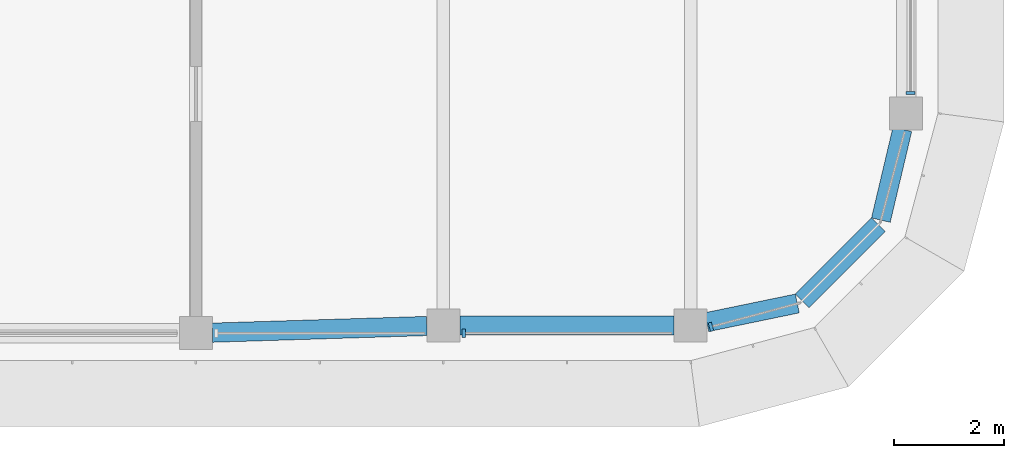
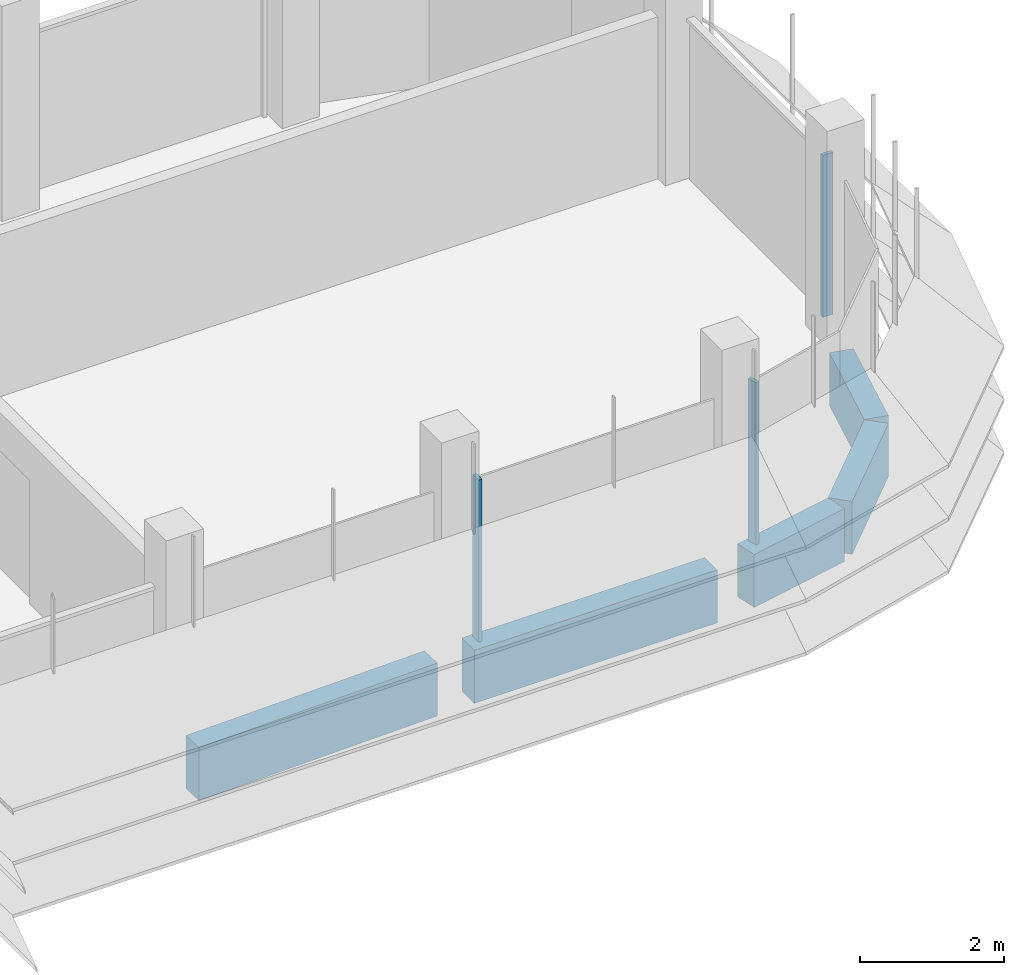
# One storey, part 5 of 19: 5 beams, 3 members, 3 elements without a shape of their own.
"""IFC4 building model written with IfcOpenShell, lengths in metres."""

from ifc_helpers import new_model, si_unit, direction, frame, origin, origin_2d, place, context, subcontext, project, spatial, polyline, rectangle, outline, extrude, source, transform, mapped, material, material_profile, profile_set, type_object, element, aggregate, save


model = new_model("IFC4")

# Units and contexts
model_context = context("Model", 3, precision=1e-05, world=origin(), true_north=direction((0.0, 1.0)))
body_context = subcontext(model_context, "Body", "Model", "MODEL_VIEW")
ifc_project = project(units=[si_unit("LENGTHUNIT", "METRE"), si_unit("AREAUNIT", "SQUARE_METRE"), si_unit("VOLUMEUNIT", "CUBIC_METRE"), si_unit("PLANEANGLEUNIT", "RADIAN"), si_unit("MASSUNIT", "GRAM", prefix="KILO")], contexts=[model_context])

# Site, building, storey
site_placement = place(None, origin())
site = spatial("IfcSite", under=ifc_project, at=site_placement, CompositionType="ELEMENT")
building_placement = place(site_placement, origin())
building = spatial("IfcBuilding", under=site, at=building_placement, Name="Zarbagh Exchange Tower", CompositionType="ELEMENT")
storey_placement = place(building_placement, frame((0.0, 0.0, 265.0)))
storey = spatial("IfcBuildingStorey", under=building, at=storey_placement, Name="L65", CompositionType="ELEMENT", Elevation=265.0)

# Beams
ifc_material_1 = material(Name="Concrete C40/50", Category="concrete")
ifc_material_profile = material_profile(ifc_material_1, rectangle(XDim=0.35009765625, YDim=0.89990234375, at=origin_2d()), Name="RC spandrel beam 350 x 900 C40/50")
ifc_profile_set = profile_set([ifc_material_profile], Name="Concrete C40/50")
beam_type = type_object("IfcBeamType", Name="RC spandrel beam 350 x 900 C40/50", PredefinedType="SPANDREL", material=ifc_profile_set)
beam_1_placement = place(storey_placement, frame((28.600830078125, -2.5419921875, -0.60009765625), z_axis=(-0.230258391117, -0.973129525459, 0.0), x_axis=(0.973129525459, -0.230258391117, 0.0)))
element("IfcBeam", 1, at=beam_1_placement, inside=storey, type_object=beam_type, Name="RC spandrel beam", PredefinedType="SPANDREL", context=body_context, shape_type="SweptSolid", body=[
    extrude(rectangle(XDim=0.35009765625, YDim=0.89990234375, at=origin_2d()), origin(), (0.0, 0.0, 1.0), 1.696533203125),
])
beam_2_placement = place(storey_placement, frame((28.163818359375, -4.2763671875, -0.60009765625), z_axis=(-0.707106781187, -0.707106781187, 0.0), x_axis=(0.707106781187, -0.707106781187, 0.0)))
element("IfcBeam", 2, at=beam_2_placement, inside=storey, type_object=beam_type, Name="RC spandrel beam", PredefinedType="SPANDREL", context=body_context, shape_type="SweptSolid", body=[
    extrude(rectangle(XDim=0.35009765625, YDim=0.89990234375, at=origin_2d()), origin(), (0.0, 0.0, 1.0), 1.95947265625),
])
beam_3_placement = place(storey_placement, frame((26.68994140625, -5.70947265625, -0.60009765625), z_axis=(-0.979349753205, -0.202173343684, 0.0), x_axis=(0.202173343684, -0.979349753205, 0.0)))
element("IfcBeam", 3, at=beam_3_placement, inside=storey, type_object=beam_type, Name="RC spandrel beam", PredefinedType="SPANDREL", context=body_context, shape_type="SweptSolid", body=[
    extrude(rectangle(XDim=0.35009765625, YDim=0.89990234375, at=origin_2d()), origin(), (0.0, 0.0, 1.0), 1.680908203125),
])
beam_4_placement = place(storey_placement, frame((24.449951171875, -6.110107421875, -0.60009765625), z_axis=(-1.0, 0.0, 0.0), x_axis=(0.0, -1.0, 0.0)))
element("IfcBeam", 4, at=beam_4_placement, inside=storey, type_object=beam_type, Name="RC spandrel beam", PredefinedType="SPANDREL", context=body_context, shape_type="SweptSolid", body=[
    extrude(rectangle(XDim=0.35009765625, YDim=0.89990234375, at=origin_2d()), origin(), (0.0, 0.0, 1.0), 3.89990234375),
])
beam_5_placement = place(storey_placement, frame((19.9501953125, -6.119384765625, -0.60009765625), z_axis=(-0.999516460907, -0.031094121249, 0.0), x_axis=(0.031094121249, -0.999516460907, 0.0)))
element("IfcBeam", 5, at=beam_5_placement, inside=storey, type_object=beam_type, Name="RC spandrel beam", PredefinedType="SPANDREL", context=body_context, shape_type="SweptSolid", body=[
    extrude(rectangle(XDim=0.35009765625, YDim=0.89990234375, at=origin_2d()), origin(), (0.0, 0.0, 1.0), 3.90234375),
])

# Curtain wall, member
ifc_material_2 = material(Name="Anodised aluminium frame and glazing", Category="aluminium")
curtain_wall_type = type_object("IfcCurtainWallType", Name="CWB Ribbon glazing, upper zones", PredefinedType="NOTDEFINED", material=ifc_material_2)
curtain_wall_1_placement = place(storey_placement, origin())
curtain_wall_1 = element("IfcCurtainWall", 6, at=curtain_wall_1_placement, inside=storey, type_object=curtain_wall_type, Name="CWB75 curtain wall", PredefinedType="NOTDEFINED")
ifc_material_3 = material(Name="Anodised aluminium frame", Category="aluminium")
member_type = type_object("IfcMemberType", Name="MUB Mullion, anodised aluminium frame", PredefinedType="MULLION", material=ifc_material_3)
shared_shape = source(origin(), body_context, "Body", "SweptSolid", [
    extrude(outline(polyline([(0.0, -0.080078125), (0.06005859375, -0.080078125), (0.06005859375, 0.080078125), (0.0, 0.080078125), (0.0, -0.080078125)])), origin(), (0.0, 0.0, 1.0), 2.75),
])
placement = place(storey_placement, origin())
member_1 = element("IfcMember", 7, at=placement, type_object=member_type, Name="CWB75 mullion 3.1", PredefinedType="MULLION", context=body_context, shape_type="MappedRepresentation", body=[
    mapped(shared_shape, transform((20.590087890625, -6.25, 0.0), x_axis=(1.0, 0.0, 0.0), y_axis=(0.0, 1.0, 0.0), z_axis=(0.0, 0.0, 1.0))),
])
aggregate(curtain_wall_1, [member_1])

curtain_wall_2_placement = place(storey_placement, origin())
curtain_wall_2 = element("IfcCurtainWall", 8, at=curtain_wall_2_placement, inside=storey, type_object=curtain_wall_type, Name="CWB76 curtain wall", PredefinedType="NOTDEFINED")
member_2 = element("IfcMember", 9, at=placement, type_object=member_type, Name="CWB76 mullion 1.1", PredefinedType="MULLION", context=body_context, shape_type="MappedRepresentation", body=[
    mapped(shared_shape, transform((25.08984375, -6.141357421875, 0.0), x_axis=(0.965924289636, 0.258824779902, 0.0), y_axis=(-0.258824779902, 0.965924289636, 0.0), z_axis=(0.0, 0.0, 1.0))),
])
aggregate(curtain_wall_2, [member_2])

curtain_wall_3_placement = place(storey_placement, origin())
curtain_wall_3 = element("IfcCurtainWall", 10, at=curtain_wall_3_placement, inside=storey, type_object=curtain_wall_type, Name="CWB83 curtain wall", PredefinedType="NOTDEFINED")
member_3 = element("IfcMember", 11, at=placement, type_object=member_type, Name="CWB83 mullion 1.1", PredefinedType="MULLION", context=body_context, shape_type="MappedRepresentation", body=[
    mapped(shared_shape, transform((28.75, -1.909912109375, 0.0), x_axis=(0.0, 1.0, 0.0), y_axis=(-1.0, 0.0, 0.0), z_axis=(0.0, 0.0, 1.0))),
])
aggregate(curtain_wall_3, [member_3])

save(model, "model.ifc")
